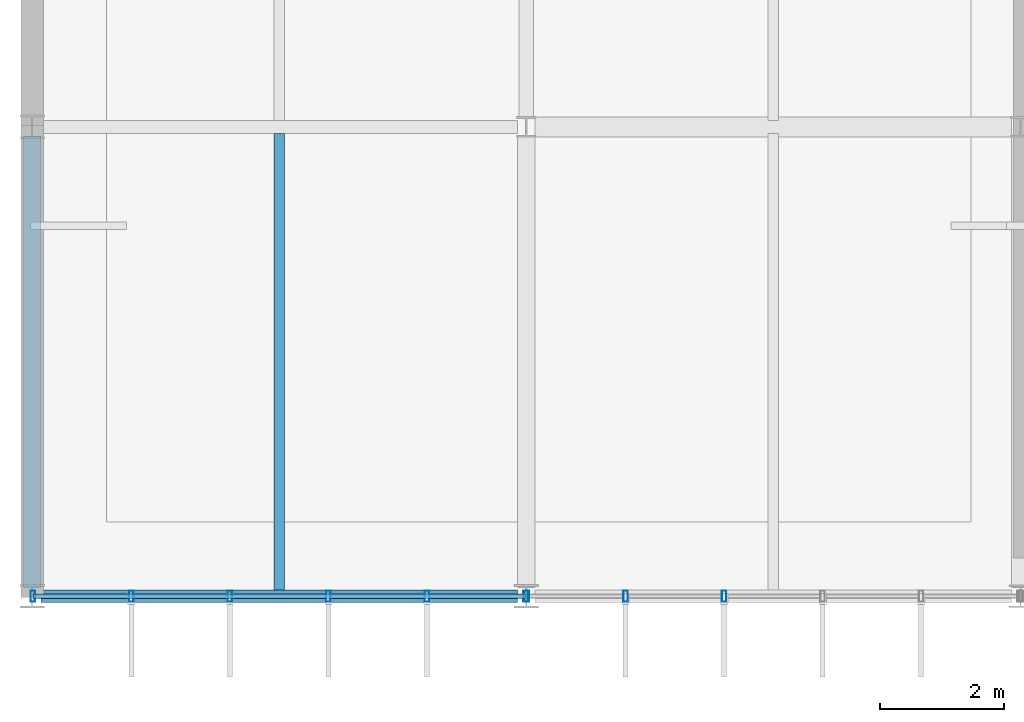
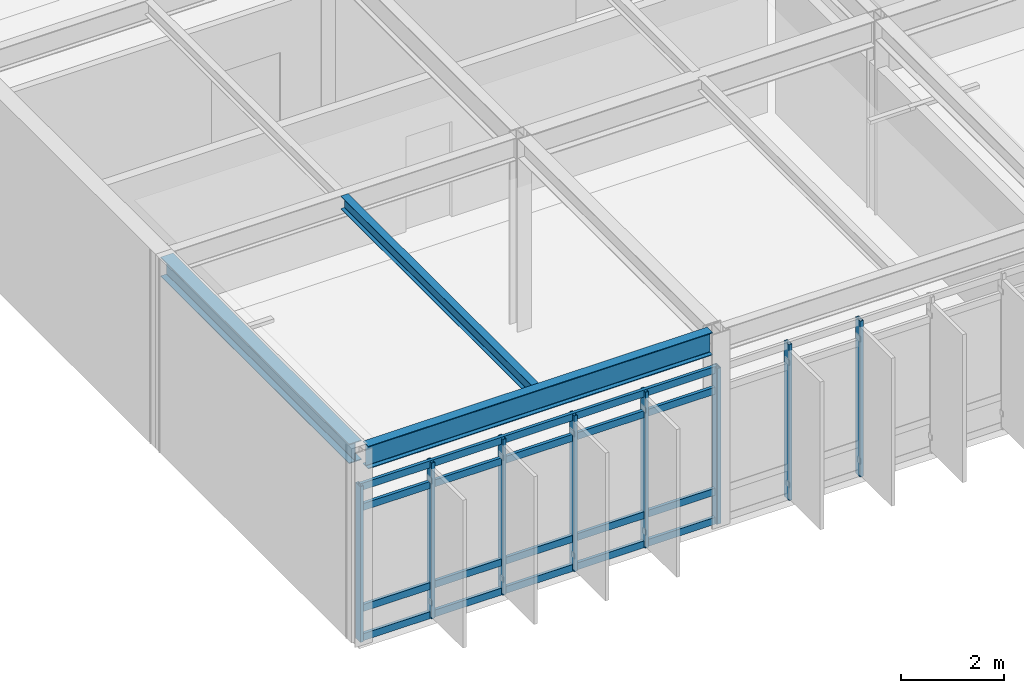
# One storey, part 19 of 100: 13 members, 3 beams, 2 elements without a shape of their own.
"""IFC4 building model written with IfcOpenShell, lengths in metres."""

import ifcopenshell
import ifcopenshell.guid

model = None  # the IFC model being written
_history = None  # IfcOwnerHistory: only IFC2X3 demands one
_inside = {}  # id of a spatial element -> (the spatial element, [elements in it])
_under = {}  # id of a project, library or spatial element -> (it, [spatial elements below it])
_declared = {}  # id of a project -> (the project, [libraries it declares])
_typed = {}  # id of a type object -> (the type object, [elements of that type])
_made_of = {}  # id of a material, layer set ... -> (it, [elements and type objects made of it])


def new_model(schema):
    """Start an empty IFC model of exactly this schema.

    Asked for "IFC4X3", IfcOpenShell would pick the latest addendum, in which some entities
    have other attributes; the version numbers below select the first issue.
    IFC2X3 requires an IfcOwnerHistory on every rooted entity: one is made here for all.
    """
    global model, _history
    if schema == "IFC4X3":
        model = ifcopenshell.file(schema_version=(4, 3, 0, 0))
    else:
        model = ifcopenshell.file(schema=schema)
    _inside.clear()
    _under.clear()
    _declared.clear()
    _typed.clear()
    _made_of.clear()
    _history = None
    if model.schema == "IFC2X3":
        org = make("IfcOrganization", Name="unknown")
        user = make(
            "IfcPersonAndOrganization",
            ThePerson=make("IfcPerson", FamilyName="unknown"),
            TheOrganization=org,
        )
        app = make(
            "IfcApplication",
            ApplicationDeveloper=org,
            Version="unknown",
            ApplicationFullName="unknown",
            ApplicationIdentifier="unknown",
        )
        _history = make(
            "IfcOwnerHistory",
            OwningUser=user,
            OwningApplication=app,
            ChangeAction="ADDED",
            CreationDate=0,
        )
    return model


def make(cls, **values):
    """One entity of the class cls with the attributes given. An attribute that is None is left unset."""
    return model.create_entity(
        cls, **{name: value for name, value in values.items() if value is not None}
    )


def rooted(cls, **values):
    """An entity with a GlobalId (a new one), such as an element, a storey or a relation."""
    return make(cls, GlobalId=ifcopenshell.guid.new(), OwnerHistory=_history, **values)


def si_unit(unit_type, name, prefix=None):
    """IfcSIUnit, for example si_unit("LENGTHUNIT", "METRE", prefix="MILLI")."""
    return make("IfcSIUnit", UnitType=unit_type, Prefix=prefix, Name=name)


def assignment(units):
    """IfcUnitAssignment: the units of a project."""
    return None if units is None else make("IfcUnitAssignment", Units=units)


def point(xyz):
    """IfcCartesianPoint."""
    return None if xyz is None else make("IfcCartesianPoint", Coordinates=xyz)


def direction(xyz):
    """IfcDirection."""
    return None if xyz is None else make("IfcDirection", DirectionRatios=xyz)


def frame(location, z_axis=None, x_axis=None):
    """IfcAxis2Placement3D, a coordinate frame: its origin and axes. An axis left out is left unset."""
    return make(
        "IfcAxis2Placement3D",
        Location=point(location),
        Axis=direction(z_axis),
        RefDirection=direction(x_axis),
    )


def frame_2d(location, x_axis=None):
    """IfcAxis2Placement2D, a coordinate frame in the plane: its origin and x axis."""
    return make(
        "IfcAxis2Placement2D", Location=point(location), RefDirection=direction(x_axis)
    )


def origin():
    """The frame at (0, 0, 0) with its axes left unset."""
    return frame((0.0, 0.0, 0.0))


def origin_2d():
    """The frame at (0, 0) in the plane with its x axis left unset."""
    return frame_2d((0.0, 0.0))


def place(relative_to, where):
    """IfcLocalPlacement: puts the frame where relative to a parent placement (None: the world)."""
    return make(
        "IfcLocalPlacement", PlacementRelTo=relative_to, RelativePlacement=where
    )


def context(
    kind, dimensions, precision=None, world=None, true_north=None, identifier=None
):
    """IfcGeometricRepresentationContext, for example the 3D "Model" context."""
    return make(
        "IfcGeometricRepresentationContext",
        ContextIdentifier=identifier,
        ContextType=kind,
        CoordinateSpaceDimension=dimensions,
        Precision=precision,
        WorldCoordinateSystem=world,
        TrueNorth=true_north,
    )


def subcontext(parent, identifier, kind, view, scale=None):
    """IfcGeometricRepresentationSubContext, for example "Body" below "Model"."""
    return make(
        "IfcGeometricRepresentationSubContext",
        ContextIdentifier=identifier,
        ContextType=kind,
        ParentContext=parent,
        TargetScale=scale,
        TargetView=view,
    )


def project(units=None, contexts=None):
    """IfcProject with its units and contexts."""
    return rooted(
        "IfcProject",
        Name="project",
        RepresentationContexts=contexts,
        UnitsInContext=assignment(units),
    )


def spatial(cls, under=None, at=None, **own):
    """A site, building, storey or space (cls), placed at a placement, below another one or the project."""
    s = rooted(cls, ObjectPlacement=at, **own)
    if under is not None:
        _under.setdefault(under.id(), (under, []))[1].append(s)
    return s


def profile(cls, at=None, kind="AREA", **sizes):
    """A parametric profile (cls). Its sizes go by their IFC names, for example OverallWidth=200.0."""
    return make(cls, ProfileType=kind, Position=at, **sizes)


def hollow_rectangle(**sizes):
    """IfcRectangleHollowProfileDef."""
    return profile("IfcRectangleHollowProfileDef", **sizes)


def i_section(**sizes):
    """IfcIShapeProfileDef."""
    return profile("IfcIShapeProfileDef", **sizes)


def extrude(swept, where, along, depth):
    """IfcExtrudedAreaSolid: the profile swept, set in the frame where, extruded along a direction by depth."""
    return make(
        "IfcExtrudedAreaSolid",
        SweptArea=swept,
        Position=where,
        ExtrudedDirection=direction(along),
        Depth=depth,
    )


def shape(context_of_items, identifier, shape_type, items):
    """IfcShapeRepresentation: the items that make up one representation, for example the "Body"."""
    return make(
        "IfcShapeRepresentation",
        ContextOfItems=context_of_items,
        RepresentationIdentifier=identifier,
        RepresentationType=shape_type,
        Items=items,
    )


def material(Name=None, Category=None):
    """IfcMaterial."""
    return make("IfcMaterial", Name=Name, Category=Category)


def material_profile(
    of_material, cross_section, Name=None, Category=None, Priority=None
):
    """IfcMaterialProfile: a cross section and its material."""
    return make(
        "IfcMaterialProfile",
        Name=Name,
        Material=of_material,
        Profile=cross_section,
        Priority=Priority,
        Category=Category,
    )


def profile_set(profiles, Name=None, composite=None):
    """IfcMaterialProfileSet."""
    return make(
        "IfcMaterialProfileSet",
        Name=Name,
        MaterialProfiles=profiles,
        CompositeProfile=composite,
    )


def made_of(thing, what):
    """Note that an element or type object is made of a material, layer set ...; save() writes the relation."""
    if what is not None:
        _made_of.setdefault(what.id(), (what, []))[1].append(thing)
    return thing


def type_object(cls, material=None, **own):
    """A type object (cls), such as IfcWallType, which elements share."""
    return made_of(rooted(cls, **own), material)


def element(
    cls,
    number,
    at=None,
    inside=None,
    cuts=None,
    type_object=None,
    material=None,
    context=None,
    identifier="Body",
    shape_type=None,
    held_by="IfcProductDefinitionShape",
    body=None,
    shapes=None,
    **own,
):
    """One element of the class cls, such as IfcWall. Its Tag is "e" and its number.

    at: its placement. inside: the storey or other place that contains it. cuts: it is an
    opening in that element (IfcRelVoidsElement). A single representation is given by context,
    identifier, shape_type and body (its items); several are given by shapes. held_by: the class
    of the entity that holds the representations. save() writes the other relations.
    """
    e = rooted(cls, Tag="e%d" % number, ObjectPlacement=at, **own)
    if body is not None:
        shapes = [shape(context, identifier, shape_type, body)]
    if shapes is not None:
        e.Representation = make(held_by, Representations=shapes)
    if inside is not None:
        _inside.setdefault(inside.id(), (inside, []))[1].append(e)
    if cuts is not None:
        rooted(
            "IfcRelVoidsElement", RelatingBuildingElement=cuts, RelatedOpeningElement=e
        )
    if type_object is not None:
        _typed.setdefault(type_object.id(), (type_object, []))[1].append(e)
    return made_of(e, material)


def aggregate(whole, parts):
    """IfcRelAggregates: a whole, such as a stair, and the parts it consists of."""
    return rooted("IfcRelAggregates", RelatingObject=whole, RelatedObjects=parts)


def save(model, path):
    """Write the relations noted so far, then the file.

    IfcRelAggregates (storeys below a building ...), IfcRelContainedInSpatialStructure (elements
    in a storey), IfcRelDefinesByType, IfcRelAssociatesMaterial and IfcRelDeclares: one each for
    every whole, place, type object, material and project.
    """
    for whole, parts in _under.values():
        aggregate(whole, parts)
    for where, things in _inside.values():
        rooted(
            "IfcRelContainedInSpatialStructure",
            RelatedElements=things,
            RelatingStructure=where,
        )
    for kind, things in _typed.values():
        rooted("IfcRelDefinesByType", RelatedObjects=things, RelatingType=kind)
    for what, things in _made_of.values():
        rooted("IfcRelAssociatesMaterial", RelatedObjects=things, RelatingMaterial=what)
    for by, libraries in _declared.values():
        rooted("IfcRelDeclares", RelatingContext=by, RelatedDefinitions=libraries)
    model.write(path)


model = new_model("IFC4")

# Units and contexts
model_context = context("Model", 3, precision=1e-05, world=origin(), true_north=direction((0.0, 1.0)))
body_context = subcontext(model_context, "Body", "Model", "MODEL_VIEW")
ifc_project = project(units=[si_unit("LENGTHUNIT", "METRE"), si_unit("AREAUNIT", "SQUARE_METRE"), si_unit("VOLUMEUNIT", "CUBIC_METRE"), si_unit("PLANEANGLEUNIT", "RADIAN"), si_unit("MASSUNIT", "GRAM", prefix="KILO")], contexts=[model_context])

# Site, building, storey
site_placement = place(None, origin())
site = spatial("IfcSite", under=ifc_project, at=site_placement, CompositionType="ELEMENT")
building_placement = place(site_placement, origin())
building = spatial("IfcBuilding", under=site, at=building_placement, Name="Zulena Civic Courthouse", CompositionType="ELEMENT")
storey_placement = place(building_placement, frame((0.0, 0.0, 20.39990234375)))
storey = spatial("IfcBuildingStorey", under=building, at=storey_placement, Name="L04", CompositionType="ELEMENT", Elevation=20.39990234375)

# Curtain wall, members
ifc_material_1 = material(Name="Double-silver low-E laminated solar-control glass", Category="glass")
curtain_wall_type = type_object("IfcCurtainWallType", Name="CW_7976x3690", PredefinedType="USERDEFINED", material=ifc_material_1)
curtain_wall_1_placement = place(storey_placement, origin())
curtain_wall_1 = element("IfcCurtainWall", 1, at=curtain_wall_1_placement, inside=storey, type_object=curtain_wall_type, Name="cw:V2:L04:3:6", ObjectType="UNITISED CURTAIN WALL", PredefinedType="USERDEFINED")
ifc_material_2 = material(Name="Bronze anodised thermally broken aluminium AA6063-T6", Category="aluminium")
ifc_material_profile_1 = material_profile(ifc_material_2, hollow_rectangle(XDim=0.074951171875, YDim=0.179931640625, WallThickness=0.0048828125, at=origin_2d()), Name="CWM180X75X5")
ifc_profile_set_1 = profile_set([ifc_material_profile_1], Name="Bronze anodised thermally broken aluminium AA6063-T6")
member_type_1 = type_object("IfcMemberType", Name="CWMullion_180x75", PredefinedType="MULLION", material=ifc_profile_set_1)
member_1_placement = place(storey_placement, frame((15.202392578125, 0.0, 0.0), z_axis=(0.0, 0.0, 1.0), x_axis=(1.0, 0.0, 0.0)))
member_1 = element("IfcMember", 2, at=member_1_placement, type_object=member_type_1, Name="cw:V2:L04:3:6:mull:3", PredefinedType="MULLION", context=body_context, shape_type="SweptSolid", body=[
    extrude(hollow_rectangle(XDim=0.074951171875, YDim=0.179931640625, WallThickness=0.0048828125, at=origin_2d()), origin(), (0.0, 0.0, 1.0), 3.690185546875),
])
member_2_placement = place(storey_placement, frame((13.607177734375, 0.0, 0.0), z_axis=(0.0, 0.0, 1.0), x_axis=(1.0, 0.0, 0.0)))
member_2 = element("IfcMember", 3, at=member_2_placement, type_object=member_type_1, Name="cw:V2:L04:3:6:mull:4", PredefinedType="MULLION", context=body_context, shape_type="SweptSolid", body=[
    extrude(hollow_rectangle(XDim=0.074951171875, YDim=0.179931640625, WallThickness=0.0048828125, at=origin_2d()), origin(), (0.0, 0.0, 1.0), 3.690185546875),
])
member_3_placement = place(storey_placement, frame((12.011962890625, 0.0, 0.0), z_axis=(0.0, 0.0, 1.0), x_axis=(1.0, 0.0, 0.0)))
member_3 = element("IfcMember", 4, at=member_3_placement, type_object=member_type_1, Name="cw:V2:L04:3:6:mull:5", PredefinedType="MULLION", context=body_context, shape_type="SweptSolid", body=[
    extrude(hollow_rectangle(XDim=0.074951171875, YDim=0.179931640625, WallThickness=0.0048828125, at=origin_2d()), origin(), (0.0, 0.0, 1.0), 3.690185546875),
])
aggregate(curtain_wall_1, [member_1, member_2, member_3])

curtain_wall_2_placement = place(storey_placement, origin())
curtain_wall_2 = element("IfcCurtainWall", 5, at=curtain_wall_2_placement, inside=storey, type_object=curtain_wall_type, Name="cw:V2:L04:3:7", ObjectType="UNITISED CURTAIN WALL", PredefinedType="USERDEFINED")
member_4_placement = place(storey_placement, frame((11.988037109375, 0.0, 0.0), z_axis=(0.0, 0.0, 1.0), x_axis=(1.0, 0.0, 0.0)))
member_4 = element("IfcMember", 6, at=member_4_placement, type_object=member_type_1, Name="cw:V2:L04:3:7:mull:0", PredefinedType="MULLION", context=body_context, shape_type="SweptSolid", body=[
    extrude(hollow_rectangle(XDim=0.074951171875, YDim=0.179931640625, WallThickness=0.0048828125, at=origin_2d()), origin(), (0.0, 0.0, 1.0), 3.690185546875),
])
member_5_placement = place(storey_placement, frame((10.392822265625, 0.0, 0.0), z_axis=(0.0, 0.0, 1.0), x_axis=(1.0, 0.0, 0.0)))
member_5 = element("IfcMember", 7, at=member_5_placement, type_object=member_type_1, Name="cw:V2:L04:3:7:mull:1", PredefinedType="MULLION", context=body_context, shape_type="SweptSolid", body=[
    extrude(hollow_rectangle(XDim=0.074951171875, YDim=0.179931640625, WallThickness=0.0048828125, at=origin_2d()), origin(), (0.0, 0.0, 1.0), 3.690185546875),
])
member_6_placement = place(storey_placement, frame((8.797607421875, 0.0, 0.0), z_axis=(0.0, 0.0, 1.0), x_axis=(1.0, 0.0, 0.0)))
member_6 = element("IfcMember", 8, at=member_6_placement, type_object=member_type_1, Name="cw:V2:L04:3:7:mull:2", PredefinedType="MULLION", context=body_context, shape_type="SweptSolid", body=[
    extrude(hollow_rectangle(XDim=0.074951171875, YDim=0.179931640625, WallThickness=0.0048828125, at=origin_2d()), origin(), (0.0, 0.0, 1.0), 3.690185546875),
])
member_7_placement = place(storey_placement, frame((7.202392578125, 0.0, 0.0), z_axis=(0.0, 0.0, 1.0), x_axis=(1.0, 0.0, 0.0)))
member_7 = element("IfcMember", 9, at=member_7_placement, type_object=member_type_1, Name="cw:V2:L04:3:7:mull:3", PredefinedType="MULLION", context=body_context, shape_type="SweptSolid", body=[
    extrude(hollow_rectangle(XDim=0.074951171875, YDim=0.179931640625, WallThickness=0.0048828125, at=origin_2d()), origin(), (0.0, 0.0, 1.0), 3.690185546875),
])
member_8_placement = place(storey_placement, frame((5.607177734375, 0.0, 0.0), z_axis=(0.0, 0.0, 1.0), x_axis=(1.0, 0.0, 0.0)))
member_8 = element("IfcMember", 10, at=member_8_placement, type_object=member_type_1, Name="cw:V2:L04:3:7:mull:4", PredefinedType="MULLION", context=body_context, shape_type="SweptSolid", body=[
    extrude(hollow_rectangle(XDim=0.074951171875, YDim=0.179931640625, WallThickness=0.0048828125, at=origin_2d()), origin(), (0.0, 0.0, 1.0), 3.690185546875),
])
member_9_placement = place(storey_placement, frame((4.011962890625, 0.0, 0.0), z_axis=(0.0, 0.0, 1.0), x_axis=(1.0, 0.0, 0.0)))
member_9 = element("IfcMember", 11, at=member_9_placement, type_object=member_type_1, Name="cw:V2:L04:3:7:mull:5", PredefinedType="MULLION", context=body_context, shape_type="SweptSolid", body=[
    extrude(hollow_rectangle(XDim=0.074951171875, YDim=0.179931640625, WallThickness=0.0048828125, at=origin_2d()), origin(), (0.0, 0.0, 1.0), 3.690185546875),
])
ifc_material_profile_2 = material_profile(ifc_material_2, hollow_rectangle(XDim=0.070068359375, YDim=0.1650390625, WallThickness=0.00390625, at=origin_2d()), Name="CWT165X70X4")
ifc_profile_set_2 = profile_set([ifc_material_profile_2], Name="Bronze anodised thermally broken aluminium AA6063-T6")
member_type_2 = type_object("IfcMemberType", Name="CWTransom_165x70", PredefinedType="USERDEFINED", material=ifc_profile_set_2)
member_10_placement = place(storey_placement, frame((11.988037109375, 0.0, 0.06005859375), z_axis=(-1.0, 0.0, 0.0), x_axis=(0.0, -1.0, 0.0)))
member_10 = element("IfcMember", 12, at=member_10_placement, type_object=member_type_2, Name="cw:V2:L04:3:7:tran:0", ObjectType="TRANSOM", PredefinedType="USERDEFINED", context=body_context, shape_type="SweptSolid", body=[
    extrude(hollow_rectangle(XDim=0.070068359375, YDim=0.1650390625, WallThickness=0.00390625, at=origin_2d()), origin(), (0.0, 0.0, 1.0), 7.97607421875),
])
member_11_placement = place(storey_placement, frame((11.988037109375, 0.0, 0.75), z_axis=(-1.0, 0.0, 0.0), x_axis=(0.0, -1.0, 0.0)))
member_11 = element("IfcMember", 13, at=member_11_placement, type_object=member_type_2, Name="cw:V2:L04:3:7:tran:1", ObjectType="TRANSOM", PredefinedType="USERDEFINED", context=body_context, shape_type="SweptSolid", body=[
    extrude(hollow_rectangle(XDim=0.070068359375, YDim=0.1650390625, WallThickness=0.00390625, at=origin_2d()), origin(), (0.0, 0.0, 1.0), 7.97607421875),
])
member_12_placement = place(storey_placement, frame((11.988037109375, 0.0, 3.14013671875), z_axis=(-1.0, 0.0, 0.0), x_axis=(0.0, -1.0, 0.0)))
member_12 = element("IfcMember", 14, at=member_12_placement, type_object=member_type_2, Name="cw:V2:L04:3:7:tran:2", ObjectType="TRANSOM", PredefinedType="USERDEFINED", context=body_context, shape_type="SweptSolid", body=[
    extrude(hollow_rectangle(XDim=0.070068359375, YDim=0.1650390625, WallThickness=0.00390625, at=origin_2d()), origin(), (0.0, 0.0, 1.0), 7.97607421875),
])
member_13_placement = place(storey_placement, frame((11.988037109375, 0.0, 3.630126953125), z_axis=(-1.0, 0.0, 0.0), x_axis=(0.0, -1.0, 0.0)))
member_13 = element("IfcMember", 15, at=member_13_placement, type_object=member_type_2, Name="cw:V2:L04:3:7:tran:3", ObjectType="TRANSOM", PredefinedType="USERDEFINED", context=body_context, shape_type="SweptSolid", body=[
    extrude(hollow_rectangle(XDim=0.070068359375, YDim=0.1650390625, WallThickness=0.00390625, at=origin_2d()), origin(), (0.0, 0.0, 1.0), 7.97607421875),
])
aggregate(curtain_wall_2, [member_4, member_5, member_6, member_7, member_8, member_9, member_10, member_11, member_12, member_13])

# Beams
ifc_material_3 = material(Name="Steel ASTM A992 Grade 50", Category="steel")
ifc_material_profile_3 = material_profile(ifc_material_3, i_section(OverallWidth=0.1650390625, OverallDepth=0.31005859375, WebThickness=0.005859375, FlangeThickness=0.009765625, FilletRadius=0.009765625, at=origin_2d()), Name="W12X26")
ifc_profile_set_3 = profile_set([ifc_material_profile_3], Name="Steel ASTM A992 Grade 50")
beam_type_1 = type_object("IfcBeamType", Name="Joist_W12X26", PredefinedType="JOIST", material=ifc_profile_set_3)
beam_1_placement = place(storey_placement, frame((8.0, 0.10498046875, 4.440185546875), z_axis=(0.0, 1.0, 0.0), x_axis=(-1.0, 0.0, 0.0)))
element("IfcBeam", 16, at=beam_1_placement, inside=storey, type_object=beam_type_1, Name="joist:V2:L04:8.00:0.0_7.6", PredefinedType="JOIST", context=body_context, shape_type="SweptSolid", body=[
    extrude(i_section(OverallWidth=0.1650390625, OverallDepth=0.31005859375, WebThickness=0.005859375, FlangeThickness=0.009765625, FilletRadius=0.009765625, at=origin_2d()), origin(), (0.0, 0.0, 1.0), 7.39013671875),
])
ifc_material_profile_4 = material_profile(ifc_material_3, i_section(OverallWidth=0.280029296875, OverallDepth=0.462890625, WebThickness=0.0107421875, FlangeThickness=0.017333984375, FilletRadius=0.01025390625, at=origin_2d()), Name="W18X76")
ifc_profile_set_4 = profile_set([ifc_material_profile_4], Name="Steel ASTM A992 Grade 50")
beam_type_2 = type_object("IfcBeamType", Name="Spandrel_W18X76", PredefinedType="SPANDREL", material=ifc_profile_set_4)
beam_2_placement = place(storey_placement, frame((4.0, 0.14501953125, 4.363525390625), z_axis=(0.0, 1.0, 0.0), x_axis=(-1.0, 0.0, 0.0)))
element("IfcBeam", 17, at=beam_2_placement, inside=storey, type_object=beam_type_2, Name="beam:Y:V2:L04:4.0:0.0_7.6", PredefinedType="SPANDREL", context=body_context, shape_type="SweptSolid", body=[
    extrude(i_section(OverallWidth=0.280029296875, OverallDepth=0.462890625, WebThickness=0.0107421875, FlangeThickness=0.017333984375, FilletRadius=0.01025390625, at=origin_2d()), origin(), (0.0, 0.0, 1.0), 7.31005859375),
])
ifc_material_profile_5 = material_profile(ifc_material_3, i_section(OverallWidth=0.2099609375, OverallDepth=0.537109375, WebThickness=0.010986328125, FlangeThickness=0.017333984375, FilletRadius=0.0126953125, at=origin_2d()), Name="W21X68")
ifc_profile_set_5 = profile_set([ifc_material_profile_5], Name="Steel ASTM A992 Grade 50")
beam_type_3 = type_object("IfcBeamType", Name="Spandrel_W21X68", PredefinedType="SPANDREL", material=ifc_profile_set_5)
beam_3_placement = place(storey_placement, frame((4.14501953125, 0.0, 4.32666015625), z_axis=(1.0, 0.0, 0.0), x_axis=(0.0, 1.0, 0.0)))
element("IfcBeam", 18, at=beam_3_placement, inside=storey, type_object=beam_type_3, Name="beam:X:V2:L04:0.0:4.0_12.0", PredefinedType="SPANDREL", context=body_context, shape_type="SweptSolid", body=[
    extrude(i_section(OverallWidth=0.2099609375, OverallDepth=0.537109375, WebThickness=0.010986328125, FlangeThickness=0.017333984375, FilletRadius=0.0126953125, at=origin_2d()), origin(), (0.0, 0.0, 1.0), 7.7099609375),
])

save(model, "model.ifc")
